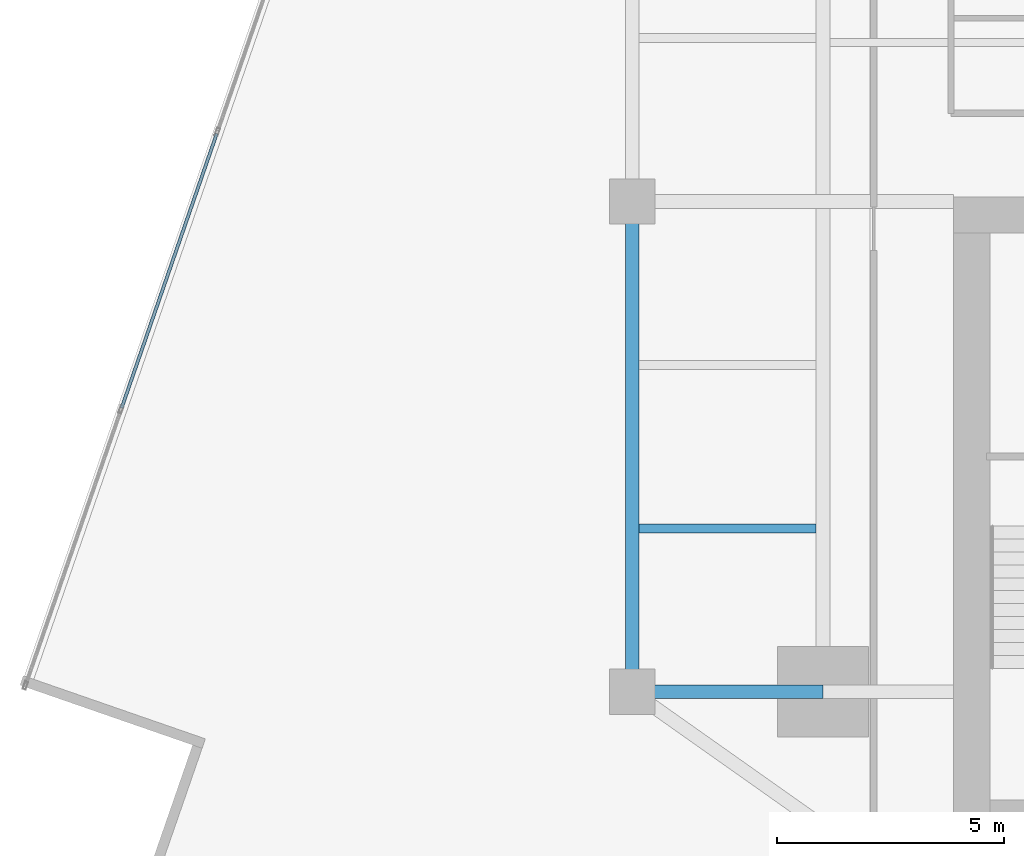
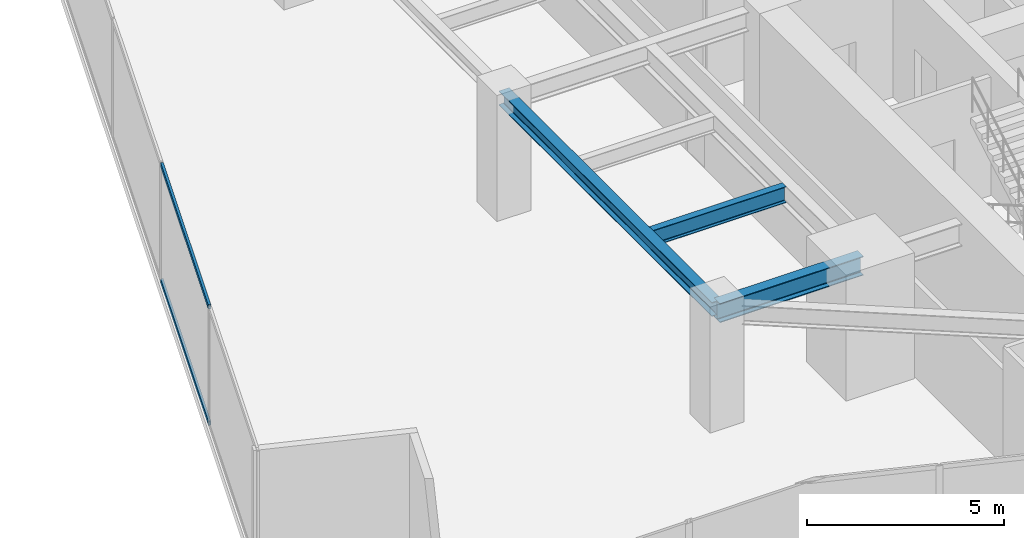
# One storey, part 7 of 28: 3 beams, 2 members, 1 element without a shape of its own.
"""IFC4 building model written with IfcOpenShell, lengths in metres."""

from ifc_helpers import new_model, si_unit, direction, frame, origin, origin_2d, place, context, subcontext, project, spatial, hollow_rectangle, i_section, extrude, source, transform, mapped, material, material_profile, profile_set, type_object, type_shapes, element, aggregate, save


model = new_model("IFC4")

# Units and contexts
model_context = context("Model", 3, precision=1e-05, world=origin(), true_north=direction((0.0, 1.0)))
body_context = subcontext(model_context, "Body", "Model", "MODEL_VIEW")
ifc_project = project(units=[si_unit("LENGTHUNIT", "METRE"), si_unit("AREAUNIT", "SQUARE_METRE"), si_unit("VOLUMEUNIT", "CUBIC_METRE"), si_unit("PLANEANGLEUNIT", "RADIAN"), si_unit("MASSUNIT", "GRAM", prefix="KILO")], contexts=[model_context])

# Site, building, storey
site_placement = place(None, origin())
site = spatial("IfcSite", under=ifc_project, at=site_placement, CompositionType="ELEMENT")
building_placement = place(site_placement, origin())
building = spatial("IfcBuilding", under=site, at=building_placement, Name="Krantzveldt Concourse Tower", CompositionType="ELEMENT")
storey_placement = place(building_placement, frame((0.0, 0.0, 117.699951171875)))
storey = spatial("IfcBuildingStorey", under=building, at=storey_placement, Name="L28", CompositionType="ELEMENT", Elevation=117.699951171875)

# Beams
ifc_material_1 = material(Name="Steel S355JR", Category="steel")
ifc_material_profile_1 = material_profile(ifc_material_1, i_section(OverallWidth=0.300048828125, OverallDepth=0.43994140625, WebThickness=0.011474609375, FlangeThickness=0.02099609375, FilletRadius=0.027099609375, at=origin_2d()), Name="Steel S355JR", Category="steel")
ifc_profile_set_1 = profile_set([ifc_material_profile_1], Name="Steel S355JR - HEA 450")
beam_type_1 = type_object("IfcBeamType", Name="BM-SP-HEA450", PredefinedType="SPANDREL", material=ifc_profile_set_1)
shared_shape_1 = source(origin(), body_context, "Body", "SweptSolid", [
    extrude(i_section(OverallWidth=0.300048828125, OverallDepth=0.43994140625, WebThickness=0.011474609375, FlangeThickness=0.02099609375, FilletRadius=0.027099609375, at=origin_2d()), origin(), (0.0, 0.0, 1.0), 10.800048828125),
])
type_shapes(beam_type_1, [shared_shape_1])
beam_1_placement = place(storey_placement, frame((21.0, 15.89990234375, 3.449951171875), z_axis=(0.0, 1.0, 0.0), x_axis=(-1.0, 0.0, 0.0)))
element("IfcBeam", 1, at=beam_1_placement, inside=storey, type_object=beam_type_1, Name="L28 Tower Girder SP-R01", PredefinedType="SPANDREL", context=body_context, shape_type="MappedRepresentation", body=[
    mapped(shared_shape_1, transform((0.0, 0.0, 0.0), x_axis=(1.0, 0.0, 0.0), y_axis=(0.0, 1.0, 0.0), z_axis=(0.0, 0.0, 1.0), scale=1.0)),
])
ifc_material_profile_2 = material_profile(ifc_material_1, i_section(OverallWidth=0.300048828125, OverallDepth=0.590087890625, WebThickness=0.012939453125, FlangeThickness=0.02490234375, FilletRadius=0.027099609375, at=origin_2d()), Name="Steel S355JR", Category="steel")
ifc_profile_set_2 = profile_set([ifc_material_profile_2], Name="Steel S355JR - HEA 600")
beam_type_2 = type_object("IfcBeamType", Name="BM-B-HEA600", PredefinedType="BEAM", material=ifc_profile_set_2)
shared_shape_2 = source(origin(), body_context, "Body", "SweptSolid", [
    extrude(i_section(OverallWidth=0.300048828125, OverallDepth=0.590087890625, WebThickness=0.012939453125, FlangeThickness=0.02490234375, FilletRadius=0.027099609375, at=origin_2d()), origin(), (0.0, 0.0, 1.0), 4.199951171875),
])
type_shapes(beam_type_2, [shared_shape_2])
beam_2_placement = place(storey_placement, frame((21.0, 15.89990234375, 3.375), z_axis=(1.0, 0.0, 0.0), x_axis=(0.0, 1.0, 0.0)))
element("IfcBeam", 2, at=beam_2_placement, inside=storey, type_object=beam_type_2, Name="L28 Tower Girder BR-RL1", PredefinedType="BEAM", context=body_context, shape_type="MappedRepresentation", body=[
    mapped(shared_shape_2, transform((0.0, 0.0, 0.0), x_axis=(1.0, 0.0, 0.0), y_axis=(0.0, 1.0, 0.0), z_axis=(0.0, 0.0, 1.0), scale=1.0)),
])
ifc_material_profile_3 = material_profile(ifc_material_1, i_section(OverallWidth=0.199951171875, OverallDepth=0.5, WebThickness=0.01025390625, FlangeThickness=0.01611328125, FilletRadius=0.02099609375, at=origin_2d()), Name="Steel S355JR", Category="steel")
ifc_profile_set_3 = profile_set([ifc_material_profile_3], Name="Steel S355JR - IPE 500")
beam_type_3 = type_object("IfcBeamType", Name="BM-J-IPE500", PredefinedType="JOIST", material=ifc_profile_set_3)
shared_shape_3 = source(origin(), body_context, "Body", "SweptSolid", [
    extrude(i_section(OverallWidth=0.199951171875, OverallDepth=0.5, WebThickness=0.01025390625, FlangeThickness=0.01611328125, FilletRadius=0.02099609375, at=origin_2d()), origin(), (0.0, 0.0, 1.0), 3.900146484375),
])
type_shapes(beam_type_3, [shared_shape_3])
beam_3_placement = place(storey_placement, frame((21.14990234375, 19.5, 3.420166015625), z_axis=(1.0, 0.0, 0.0), x_axis=(0.0, 1.0, 0.0)))
element("IfcBeam", 3, at=beam_3_placement, inside=storey, type_object=beam_type_3, Name="L28 Secondary Floor Joist JW-1", PredefinedType="JOIST", context=body_context, shape_type="MappedRepresentation", body=[
    mapped(shared_shape_3, transform((0.0, 0.0, 0.0), x_axis=(1.0, 0.0, 0.0), y_axis=(0.0, 1.0, 0.0), z_axis=(0.0, 0.0, 1.0), scale=1.0)),
])

# Curtain wall, members
ifc_material_2 = material(Name="Anodised aluminium 6063-T6", Category="aluminium")
curtain_wall_type = type_object("IfcCurtainWallType", Name="CW2", PredefinedType="USERDEFINED", material=ifc_material_2)
curtain_wall_placement = place(storey_placement, origin())
curtain_wall = element("IfcCurtainWall", 4, at=curtain_wall_placement, inside=storey, type_object=curtain_wall_type, Name="CW-L28-F01", ObjectType="UNITISED CURTAIN WALL", PredefinedType="USERDEFINED")
ifc_material_profile_4 = material_profile(ifc_material_2, hollow_rectangle(XDim=0.070068359375, YDim=0.139892578125, WallThickness=0.0048828125, at=origin_2d()), Name="Anodised aluminium 6063-T6", Category="aluminium")
ifc_profile_set_4 = profile_set([ifc_material_profile_4], Name="Anodised aluminium 6063-T6 - ALU-TRAN 140x70x5")
member_type = type_object("IfcMemberType", Name="CW-TRN-150", PredefinedType="USERDEFINED", material=ifc_profile_set_4)
shared_shape_4 = source(origin(), body_context, "Body", "SweptSolid", [
    extrude(hollow_rectangle(XDim=0.070068359375, YDim=0.139892578125, WallThickness=0.0048828125, at=origin_2d()), origin(), (0.0, 0.0, 1.0), 6.396728515625),
])
type_shapes(member_type, [shared_shape_4])
member_1_placement = place(storey_placement, frame((11.846435546875, 28.1943359375, 0.03515625), z_axis=(-0.327620443666, -0.944809422525, 0.0), x_axis=(0.944809422525, -0.327620443666, 0.0)))
member_1 = element("IfcMember", 5, at=member_1_placement, type_object=member_type, Name="CW-Z12 transom 5.1", ObjectType="TRANSOM", PredefinedType="USERDEFINED", context=body_context, shape_type="MappedRepresentation", body=[
    mapped(shared_shape_4, transform((0.0, 0.0, 0.0), x_axis=(1.0, 0.0, 0.0), y_axis=(0.0, 1.0, 0.0), z_axis=(0.0, 0.0, 1.0), scale=1.0)),
])
member_2_placement = place(storey_placement, frame((11.846435546875, 28.1943359375, 3.635009765625), z_axis=(-0.327620443666, -0.944809422525, 0.0), x_axis=(0.944809422525, -0.327620443666, 0.0)))
member_2 = element("IfcMember", 6, at=member_2_placement, type_object=member_type, Name="CW-Z12 transom 5.2", ObjectType="TRANSOM", PredefinedType="USERDEFINED", context=body_context, shape_type="MappedRepresentation", body=[
    mapped(shared_shape_4, transform((0.0, 0.0, 0.0), x_axis=(1.0, 0.0, 0.0), y_axis=(0.0, 1.0, 0.0), z_axis=(0.0, 0.0, 1.0), scale=1.0)),
])
aggregate(curtain_wall, [member_1, member_2])

save(model, "model.ifc")
